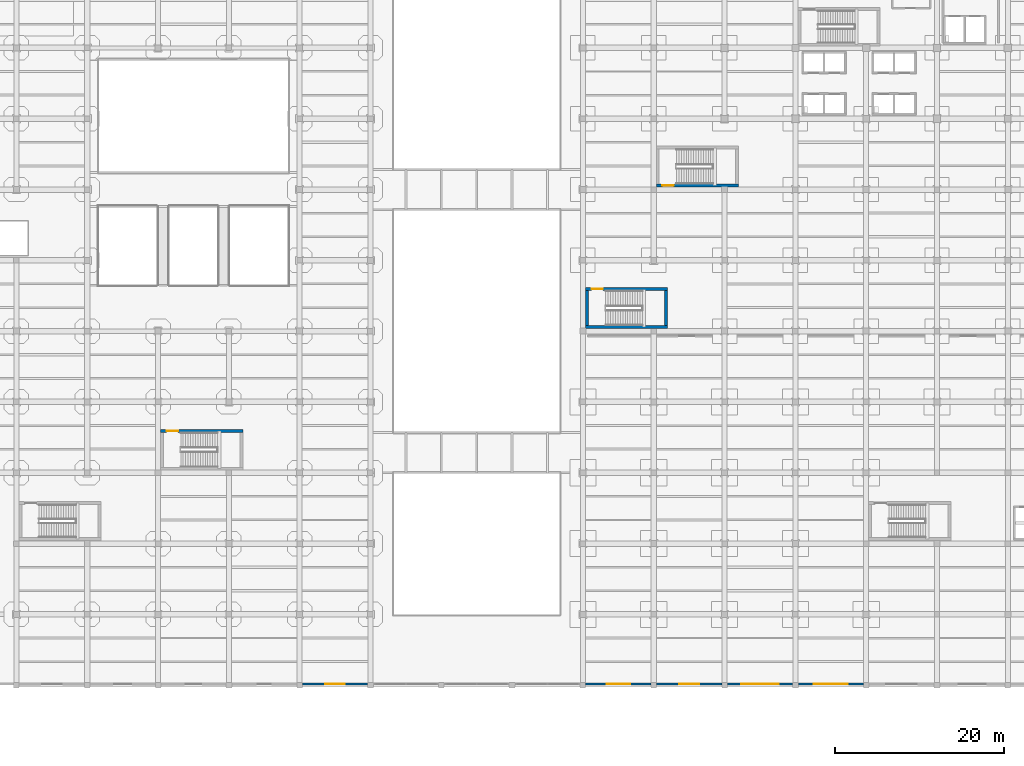
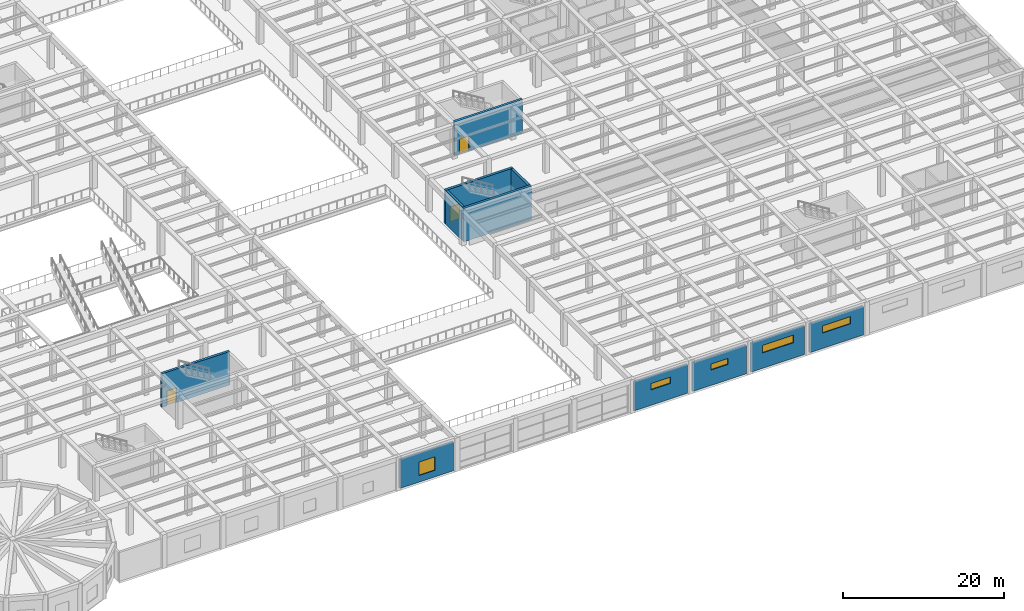
# One storey, part 48 of 65: 11 walls, 5 windows, 3 doors, 8 openings.
"""IFC4 building model written with IfcOpenShell, lengths in metres."""

from ifc_helpers import new_model, si_unit, direction, frame, frame_2d, origin, place, context, subcontext, project, spatial, rectangle, extrude, material, layer, layer_set, type_object, element, fill, save


model = new_model("IFC4")

# Units and contexts
model_context = context("Model", 3, precision=1e-05, world=origin(), true_north=direction((0.0, 1.0)))
body_context = subcontext(model_context, "Body", "Model", "MODEL_VIEW")
ifc_project = project(units=[si_unit("LENGTHUNIT", "METRE"), si_unit("AREAUNIT", "SQUARE_METRE"), si_unit("VOLUMEUNIT", "CUBIC_METRE"), si_unit("PLANEANGLEUNIT", "RADIAN"), si_unit("MASSUNIT", "GRAM", prefix="KILO")], contexts=[model_context])

# Site, building, storey
site_placement = place(None, origin())
site = spatial("IfcSite", under=ifc_project, at=site_placement, CompositionType="ELEMENT")
building_placement = place(site_placement, origin())
building = spatial("IfcBuilding", under=site, at=building_placement, Name="Almacenes y Pasaje Nevantli", CompositionType="ELEMENT")
storey_placement = place(building_placement, frame((0.0, 0.0, 16.800048828125)))
storey = spatial("IfcBuildingStorey", under=building, at=storey_placement, Name="L04", CompositionType="ELEMENT", Elevation=16.800048828125)

# Wall
ifc_material_1 = material(Name="Concrete C45/55", Category="concrete")
ifc_layer_1 = layer(ifc_material_1, 0.35009765625)
ifc_layer_set_1 = layer_set([ifc_layer_1], Name="Concrete C45/55")
wall_type_1 = type_object("IfcWallType", Name="WL-CORE-350", PredefinedType="SHEAR", material=ifc_layer_set_1)
wall_1_placement = place(storey_placement, frame((92.699951171875, 42.47509765625, 0.0), z_axis=(0.0, 0.0, 1.0), x_axis=(1.0, 0.0, 0.0)))
element("IfcWall", 1, at=wall_1_placement, inside=storey, type_object=wall_type_1, Name="L04 Exit Stair ST-08 South Core Shear Wall", PredefinedType="SHEAR", context=body_context, shape_type="SweptSolid", body=[
    extrude(rectangle(XDim=9.75, YDim=0.35009765625, at=frame_2d((4.875, 0.0))), origin(), (0.0, 0.0, 1.0), 5.099853515625),
])

# Wall, opening, door
wall_2_placement = place(storey_placement, frame((92.699951171875, 46.97509765625, 0.0), z_axis=(0.0, 0.0, 1.0), x_axis=(1.0, 0.0, 0.0)))
wall_2 = element("IfcWall", 2, at=wall_2_placement, inside=storey, type_object=wall_type_1, Name="L04 Exit Stair ST-08 North Core Shear Wall", PredefinedType="SHEAR", context=body_context, shape_type="SweptSolid", body=[
    extrude(rectangle(XDim=9.75, YDim=0.35009765625, at=frame_2d((4.875, 0.0))), origin(), (0.0, 0.0, 1.0), 5.099853515625),
])
opening_1_placement = place(wall_2_placement, frame((0.719970703125, 0.0, 0.0)))
opening_1 = element("IfcOpeningElement", 3, at=opening_1_placement, cuts=wall_2, Name="Opening SD-08-L04", PredefinedType="OPENING", context=body_context, shape_type="SweptSolid", body=[
    extrude(rectangle(XDim=1.35009765625, YDim=2.25, at=frame_2d((0.675048828125, 1.125))), frame((0.0, 0.18505859375, 0.0), z_axis=(0.0, -1.0, 0.0), x_axis=(1.0, 0.0, 0.0)), (0.0, 0.0, 1.0), 0.3701171875),
])
ifc_material_2 = material(Name="Galvanized Fire-Rated Steel", Category="steel")
door_type_1 = type_object("IfcDoorType", Name="DR-STAIR-1350R", OperationType="SINGLE_SWING_RIGHT", PredefinedType="DOOR", material=ifc_material_2)
door_1_placement = place(opening_1_placement, origin())
door_1 = element("IfcDoor", 4, at=door_1_placement, inside=storey, type_object=door_type_1, Name="L04 Smokeproof Exit Stair ST-08 Fire Door", OperationType="SINGLE_SWING_RIGHT", OverallHeight=2.25, OverallWidth=1.35009765625, PredefinedType="DOOR", context=body_context, shape_type="SweptSolid", body=[
    extrude(rectangle(XDim=1.35009765625, YDim=2.25, at=frame_2d((0.675048828125, 1.125))), frame((0.0, 0.02490234375, 0.0), z_axis=(0.0, -1.0, 0.0), x_axis=(1.0, 0.0, 0.0)), (0.0, 0.0, 1.0), 0.050048828125),
])
fill(opening_1, door_1)

# Walls
for number, where, z_axis, x_axis, name in (
    (5, (92.875, 42.64990234375, 0.0), (0.0, 0.0, 1.0), (0.0, 1.0, 0.0), "L04 Exit Stair ST-08 West Core Shear Wall"),
    (6, (102.27490234375, 42.64990234375, 0.0), (0.0, 0.0, 1.0), (0.0, 1.0, 0.0), "L04 Exit Stair ST-08 East Core Shear Wall"),
):
    element("IfcWall", number, at=place(storey_placement, frame(where, z_axis=z_axis, x_axis=x_axis)), inside=storey, type_object=wall_type_1, Name=name, PredefinedType="SHEAR", context=body_context, shape_type="SweptSolid", body=[
        extrude(rectangle(XDim=4.150146484375, YDim=0.35009765625, at=frame_2d((2.0751953125, 0.0))), origin(), (0.0, 0.0, 1.0), 5.099853515625),
    ])

# Wall, opening, door
wall_3_placement = place(storey_placement, frame((101.10009765625, 59.27490234375, 0.0), z_axis=(0.0, 0.0, 1.0), x_axis=(1.0, 0.0, 0.0)))
wall_3 = element("IfcWall", 7, at=wall_3_placement, inside=storey, type_object=wall_type_1, Name="L04 Exit Stair ST-13 South Core Shear Wall", PredefinedType="SHEAR", context=body_context, shape_type="SweptSolid", body=[
    extrude(rectangle(XDim=9.75, YDim=0.35009765625, at=frame_2d((4.875, 0.0))), origin(), (0.0, 0.0, 1.0), 5.099853515625),
])
opening_2_placement = place(wall_3_placement, frame((0.719970703125, 0.0, 0.0)))
opening_2 = element("IfcOpeningElement", 8, at=opening_2_placement, cuts=wall_3, Name="Opening SD-13-L04", PredefinedType="OPENING", context=body_context, shape_type="SweptSolid", body=[
    extrude(rectangle(XDim=1.35009765625, YDim=2.25, at=frame_2d((0.675048828125, 1.125))), frame((0.0, 0.18505859375, 0.0), z_axis=(0.0, -1.0, 0.0), x_axis=(1.0, 0.0, 0.0)), (0.0, 0.0, 1.0), 0.3701171875),
])
ifc_material_3 = material(Name="Galvanized Fire-Rated Steel", Category="steel")
door_type_2 = type_object("IfcDoorType", Name="DR-STAIR-1350", OperationType="SINGLE_SWING_LEFT", PredefinedType="DOOR", material=ifc_material_3)
door_2_placement = place(opening_2_placement, origin())
door_2 = element("IfcDoor", 9, at=door_2_placement, inside=storey, type_object=door_type_2, Name="L04 Smokeproof Exit Stair ST-13 Fire Door", OperationType="SINGLE_SWING_LEFT", OverallHeight=2.25, OverallWidth=1.35009765625, PredefinedType="DOOR", context=body_context, shape_type="SweptSolid", body=[
    extrude(rectangle(XDim=1.35009765625, YDim=2.25, at=frame_2d((0.675048828125, 1.125))), frame((0.0, 0.02490234375, 0.0), z_axis=(0.0, -1.0, 0.0), x_axis=(1.0, 0.0, 0.0)), (0.0, 0.0, 1.0), 0.050048828125),
])
fill(opening_2, door_2)

wall_4_placement = place(storey_placement, frame((42.300048828125, 30.175048828125, 0.0), z_axis=(0.0, 0.0, 1.0), x_axis=(1.0, 0.0, 0.0)))
wall_4 = element("IfcWall", 10, at=wall_4_placement, inside=storey, type_object=wall_type_1, Name="L04 Exit Stair ST-14 North Core Shear Wall", PredefinedType="SHEAR", context=body_context, shape_type="SweptSolid", body=[
    extrude(rectangle(XDim=9.75, YDim=0.35009765625, at=frame_2d((4.875, 0.0))), origin(), (0.0, 0.0, 1.0), 5.099853515625),
])
opening_3_placement = place(wall_4_placement, frame((0.719970703125, 0.0, 0.0)))
opening_3 = element("IfcOpeningElement", 11, at=opening_3_placement, cuts=wall_4, Name="Opening SD-14-L04", PredefinedType="OPENING", context=body_context, shape_type="SweptSolid", body=[
    extrude(rectangle(XDim=1.35009765625, YDim=2.25, at=frame_2d((0.675048828125, 1.125))), frame((0.0, 0.18505859375, 0.0), z_axis=(0.0, -1.0, 0.0), x_axis=(1.0, 0.0, 0.0)), (0.0, 0.0, 1.0), 0.3701171875),
])
door_3_placement = place(opening_3_placement, origin())
door_3 = element("IfcDoor", 12, at=door_3_placement, inside=storey, type_object=door_type_1, Name="L04 Smokeproof Exit Stair ST-14 Fire Door", OperationType="SINGLE_SWING_RIGHT", OverallHeight=2.25, OverallWidth=1.35009765625, PredefinedType="DOOR", context=body_context, shape_type="SweptSolid", body=[
    extrude(rectangle(XDim=1.35009765625, YDim=2.25, at=frame_2d((0.675048828125, 1.125))), frame((0.0, 0.02490234375, 0.0), z_axis=(0.0, -1.0, 0.0), x_axis=(1.0, 0.0, 0.0)), (0.0, 0.0, 1.0), 0.050048828125),
])
fill(opening_3, door_3)

# Wall, opening, window
ifc_material_4 = material(Name="Architectural Precast Concrete C35/45 Spandrel Wall", Category="concrete")
ifc_layer_2 = layer(ifc_material_4, 0.280029296875)
ifc_layer_set_2 = layer_set([ifc_layer_2], Name="Architectural Precast Concrete C35/45 Spandrel Wall")
wall_type_2 = type_object("IfcWallType", Name="WL-EXT-CANTERA-280", PredefinedType="SOLIDWALL", material=ifc_layer_set_2)
wall_5_placement = place(storey_placement, frame((59.1279296875, 0.14990234375, 0.0), z_axis=(0.0, 0.0, 1.0), x_axis=(1.0, 0.0, 0.0)))
wall_5 = element("IfcWall", 13, at=wall_5_placement, inside=storey, type_object=wall_type_2, Name="L04 South Retail Spandrel Wall Bay 8", PredefinedType="SOLIDWALL", context=body_context, shape_type="SweptSolid", body=[
    extrude(rectangle(XDim=7.719970703125, YDim=0.280029296875, at=frame_2d((3.85986328125, 0.0))), origin(), (0.0, 0.0, 1.0), 4.3798828125),
])
opening_4_placement = place(wall_5_placement, frame((2.721923828125, 0.0, 1.0)))
opening_4 = element("IfcOpeningElement", 14, at=opening_4_placement, cuts=wall_5, Name="Opening WT-14-149", PredefinedType="OPENING", context=body_context, shape_type="SweptSolid", body=[
    extrude(rectangle(XDim=2.300048828125, YDim=2.050048828125, at=frame_2d((1.14990234375, 1.02490234375))), frame((0.0, 0.14990234375, 0.0), z_axis=(0.0, -1.0, 0.0), x_axis=(1.0, 0.0, 0.0)), (0.0, 0.0, 1.0), 0.300048828125),
])
ifc_material_5 = material(Name="Thermally Broken Aluminium and Low-E Double Glazing", Category="aluminium")
window_type_1 = type_object("IfcWindowType", Name="WN-POD-2300x2050", PartitioningType="SINGLE_PANEL", PredefinedType="WINDOW", material=ifc_material_5)
window_1_placement = place(opening_4_placement, origin())
window_1 = element("IfcWindow", 15, at=window_1_placement, inside=storey, type_object=window_type_1, Name="L04 Exterior Window WT-14 #149", OverallHeight=2.050048828125, OverallWidth=2.300048828125, PartitioningType="SINGLE_PANEL", PredefinedType="WINDOW", context=body_context, shape_type="SweptSolid", body=[
    extrude(rectangle(XDim=2.300048828125, YDim=2.050048828125, at=frame_2d((1.14990234375, 1.02490234375))), frame((0.0, 0.030029296875, 0.0), z_axis=(0.0, -1.0, 0.0), x_axis=(1.0, 0.0, 0.0)), (0.0, 0.0, 1.0), 0.06005859375),
])
fill(opening_4, window_1)

wall_6_placement = place(storey_placement, frame((92.72802734375, 0.14990234375, 0.0), z_axis=(0.0, 0.0, 1.0), x_axis=(1.0, 0.0, 0.0)))
wall_6 = element("IfcWall", 16, at=wall_6_placement, inside=storey, type_object=wall_type_2, Name="L04 South Stockroom Clerestory Wall Bay 12", PredefinedType="SOLIDWALL", context=body_context, shape_type="SweptSolid", body=[
    extrude(rectangle(XDim=7.719970703125, YDim=0.280029296875, at=frame_2d((3.85986328125, 0.0))), origin(), (0.0, 0.0, 1.0), 4.3798828125),
])
opening_5_placement = place(wall_6_placement, frame((2.471923828125, 0.0, 2.35009765625)))
opening_5 = element("IfcOpeningElement", 17, at=opening_5_placement, cuts=wall_6, Name="Opening WT-24-150", PredefinedType="OPENING", context=body_context, shape_type="SweptSolid", body=[
    extrude(rectangle(XDim=2.800048828125, YDim=0.949951171875, at=frame_2d((1.39990234375, 0.47509765625))), frame((0.0, 0.14990234375, 0.0), z_axis=(0.0, -1.0, 0.0), x_axis=(1.0, 0.0, 0.0)), (0.0, 0.0, 1.0), 0.300048828125),
])
ifc_material_6 = material(Name="Thermally Broken Aluminium and Low-E Double Glazing", Category="aluminium")
window_type_2 = type_object("IfcWindowType", Name="WN-CLR-2800x0950", PartitioningType="SINGLE_PANEL", PredefinedType="WINDOW", material=ifc_material_6)
window_2_placement = place(opening_5_placement, origin())
window_2 = element("IfcWindow", 18, at=window_2_placement, inside=storey, type_object=window_type_2, Name="L04 Exterior Window WT-24 #150", OverallHeight=0.949951171875, OverallWidth=2.800048828125, PartitioningType="SINGLE_PANEL", PredefinedType="WINDOW", context=body_context, shape_type="SweptSolid", body=[
    extrude(rectangle(XDim=2.800048828125, YDim=0.949951171875, at=frame_2d((1.39990234375, 0.47509765625))), frame((0.0, 0.030029296875, 0.0), z_axis=(0.0, -1.0, 0.0), x_axis=(1.0, 0.0, 0.0)), (0.0, 0.0, 1.0), 0.06005859375),
])
fill(opening_5, window_2)

wall_7_placement = place(storey_placement, frame((101.152099609375, 0.14990234375, 0.0), z_axis=(0.0, 0.0, 1.0), x_axis=(1.0, 0.0, 0.0)))
wall_7 = element("IfcWall", 19, at=wall_7_placement, inside=storey, type_object=wall_type_2, Name="L04 South Stockroom Clerestory Wall Bay 13", PredefinedType="SOLIDWALL", context=body_context, shape_type="SweptSolid", body=[
    extrude(rectangle(XDim=7.719970703125, YDim=0.280029296875, at=frame_2d((3.85986328125, 0.0))), origin(), (0.0, 0.0, 1.0), 4.3798828125),
])
opening_6_placement = place(wall_7_placement, frame((2.64794921875, 0.0, 2.35009765625)))
opening_6 = element("IfcOpeningElement", 20, at=opening_6_placement, cuts=wall_7, Name="Opening WT-25-151", PredefinedType="OPENING", context=body_context, shape_type="SweptSolid", body=[
    extrude(rectangle(XDim=2.39990234375, YDim=0.89990234375, at=frame_2d((1.199951171875, 0.449951171875))), frame((0.0, 0.14990234375, 0.0), z_axis=(0.0, -1.0, 0.0), x_axis=(1.0, 0.0, 0.0)), (0.0, 0.0, 1.0), 0.300048828125),
])
ifc_material_7 = material(Name="Thermally Broken Aluminium and Low-E Double Glazing", Category="aluminium")
window_type_3 = type_object("IfcWindowType", Name="WN-CLR-2400x0900", PartitioningType="SINGLE_PANEL", PredefinedType="WINDOW", material=ifc_material_7)
window_3_placement = place(opening_6_placement, origin())
window_3 = element("IfcWindow", 21, at=window_3_placement, inside=storey, type_object=window_type_3, Name="L04 Exterior Window WT-25 #151", OverallHeight=0.89990234375, OverallWidth=2.39990234375, PartitioningType="SINGLE_PANEL", PredefinedType="WINDOW", context=body_context, shape_type="SweptSolid", body=[
    extrude(rectangle(XDim=2.39990234375, YDim=0.89990234375, at=frame_2d((1.199951171875, 0.449951171875))), frame((0.0, 0.030029296875, 0.0), z_axis=(0.0, -1.0, 0.0), x_axis=(1.0, 0.0, 0.0)), (0.0, 0.0, 1.0), 0.06005859375),
])
fill(opening_6, window_3)

wall_8_placement = place(storey_placement, frame((109.528076171875, 0.14990234375, 0.0), z_axis=(0.0, 0.0, 1.0), x_axis=(1.0, 0.0, 0.0)))
wall_8 = element("IfcWall", 22, at=wall_8_placement, inside=storey, type_object=wall_type_2, Name="L04 South Stockroom Clerestory Wall Bay 14", PredefinedType="SOLIDWALL", context=body_context, shape_type="SweptSolid", body=[
    extrude(rectangle(XDim=7.718017578125, YDim=0.280029296875, at=frame_2d((3.85888671875, 0.0))), origin(), (0.0, 0.0, 1.0), 4.3798828125),
])
opening_7_placement = place(wall_8_placement, frame((1.672119140625, 0.0, 2.35009765625)))
opening_7 = element("IfcOpeningElement", 23, at=opening_7_placement, cuts=wall_8, Name="Opening WT-20-152", PredefinedType="OPENING", context=body_context, shape_type="SweptSolid", body=[
    extrude(rectangle(XDim=4.39990234375, YDim=1.14990234375, at=frame_2d((2.199951171875, 0.574951171875))), frame((0.0, 0.14990234375, 0.0), z_axis=(0.0, -1.0, 0.0), x_axis=(1.0, 0.0, 0.0)), (0.0, 0.0, 1.0), 0.300048828125),
])
ifc_material_8 = material(Name="Thermally Broken Aluminium and Low-E Double Glazing", Category="aluminium")
window_type_4 = type_object("IfcWindowType", Name="WN-CLR-4400x1150", PartitioningType="SINGLE_PANEL", PredefinedType="WINDOW", material=ifc_material_8)
window_4_placement = place(opening_7_placement, origin())
window_4 = element("IfcWindow", 24, at=window_4_placement, inside=storey, type_object=window_type_4, Name="L04 Exterior Window WT-20 #152", OverallHeight=1.14990234375, OverallWidth=4.39990234375, PartitioningType="SINGLE_PANEL", PredefinedType="WINDOW", context=body_context, shape_type="SweptSolid", body=[
    extrude(rectangle(XDim=4.39990234375, YDim=1.14990234375, at=frame_2d((2.199951171875, 0.574951171875))), frame((0.0, 0.030029296875, 0.0), z_axis=(0.0, -1.0, 0.0), x_axis=(1.0, 0.0, 0.0)), (0.0, 0.0, 1.0), 0.06005859375),
])
fill(opening_7, window_4)

wall_9_placement = place(storey_placement, frame((117.951904296875, 0.14990234375, 0.0), z_axis=(0.0, 0.0, 1.0), x_axis=(1.0, 0.0, 0.0)))
wall_9 = element("IfcWall", 25, at=wall_9_placement, inside=storey, type_object=wall_type_2, Name="L04 South Stockroom Clerestory Wall Bay 15", PredefinedType="SOLIDWALL", context=body_context, shape_type="SweptSolid", body=[
    extrude(rectangle(XDim=7.72021484375, YDim=0.280029296875, at=frame_2d((3.860107421875, 0.0))), origin(), (0.0, 0.0, 1.0), 4.3798828125),
])
opening_8_placement = place(wall_9_placement, frame((1.847900390625, 0.0, 2.35009765625)))
opening_8 = element("IfcOpeningElement", 26, at=opening_8_placement, cuts=wall_9, Name="Opening WT-21-153", PredefinedType="OPENING", context=body_context, shape_type="SweptSolid", body=[
    extrude(rectangle(XDim=4.0, YDim=1.10009765625, at=frame_2d((2.0, 0.550048828125))), frame((0.0, 0.14990234375, 0.0), z_axis=(0.0, -1.0, 0.0), x_axis=(1.0, 0.0, 0.0)), (0.0, 0.0, 1.0), 0.300048828125),
])
ifc_material_9 = material(Name="Thermally Broken Aluminium and Low-E Double Glazing", Category="aluminium")
window_type_5 = type_object("IfcWindowType", Name="WN-CLR-4000x1100", PartitioningType="SINGLE_PANEL", PredefinedType="WINDOW", material=ifc_material_9)
window_5_placement = place(opening_8_placement, origin())
window_5 = element("IfcWindow", 27, at=window_5_placement, inside=storey, type_object=window_type_5, Name="L04 Exterior Window WT-21 #153", OverallHeight=1.10009765625, OverallWidth=4.0, PartitioningType="SINGLE_PANEL", PredefinedType="WINDOW", context=body_context, shape_type="SweptSolid", body=[
    extrude(rectangle(XDim=4.0, YDim=1.10009765625, at=frame_2d((2.0, 0.550048828125))), frame((0.0, 0.030029296875, 0.0), z_axis=(0.0, -1.0, 0.0), x_axis=(1.0, 0.0, 0.0)), (0.0, 0.0, 1.0), 0.06005859375),
])
fill(opening_8, window_5)

save(model, "model.ifc")
